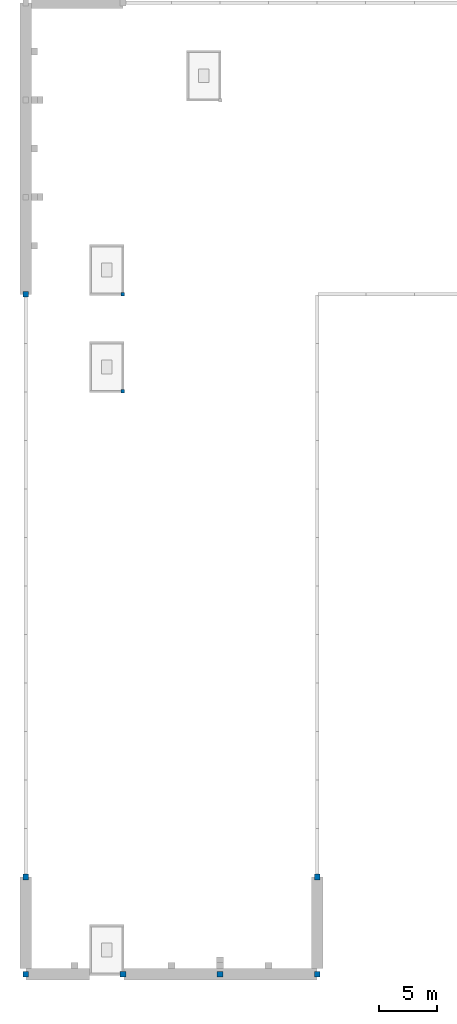
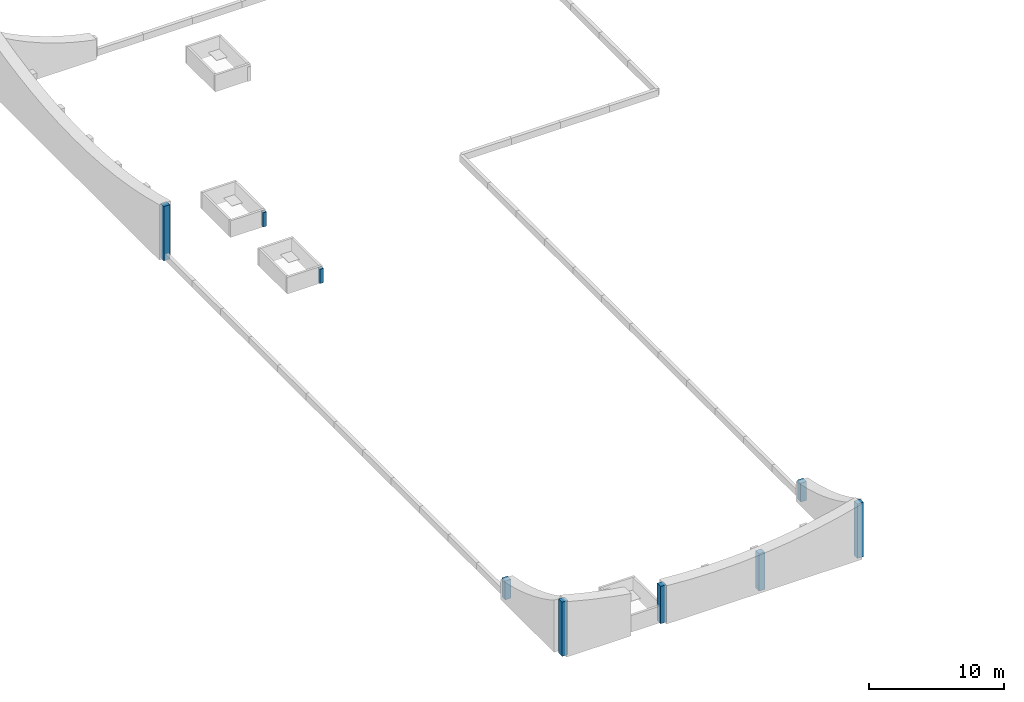
# One storey, part 1 of 4: 9 columns.
"""IFC4 building model written with IfcOpenShell, lengths in metres."""

from ifc_helpers import new_model, si_unit, direction, frame, origin, origin_2d, place, context, subcontext, project, spatial, rectangle, extrude, material, material_profile, profile_set, type_object, element, save


model = new_model("IFC4")

# Units and contexts
model_context = context("Model", 3, precision=1e-05, world=origin(), true_north=direction((0.0, 1.0)))
body_context = subcontext(model_context, "Body", "Model", "MODEL_VIEW")
ifc_project = project(units=[si_unit("LENGTHUNIT", "METRE"), si_unit("AREAUNIT", "SQUARE_METRE"), si_unit("VOLUMEUNIT", "CUBIC_METRE"), si_unit("PLANEANGLEUNIT", "RADIAN"), si_unit("MASSUNIT", "GRAM", prefix="KILO")], contexts=[model_context])

# Site, building, storey
site_placement = place(None, origin())
site = spatial("IfcSite", under=ifc_project, at=site_placement, CompositionType="ELEMENT")
building_placement = place(site_placement, origin())
building = spatial("IfcBuilding", under=site, at=building_placement, Name="Fescue Hill Polytechnic", CompositionType="ELEMENT")
storey_placement = place(building_placement, frame((0.0, 0.0, 36.0)))
storey = spatial("IfcBuildingStorey", under=building, at=storey_placement, Name="Roof", CompositionType="ELEMENT", Elevation=36.0)

# Columns
ifc_material = material(Name="Concrete 40 MPa", Category="concrete")
ifc_material_profile_1 = material_profile(ifc_material, rectangle(XDim=0.300048828125, YDim=0.300048828125, at=origin_2d()), Name="RC 300x300")
ifc_profile_set_1 = profile_set([ifc_material_profile_1], Name="Concrete 40 MPa")
column_type_1 = type_object("IfcColumnType", Name="Column RC 300x300", PredefinedType="COLUMN", material=ifc_profile_set_1)
for number, where, z_axis, x_axis, name in (
    (1, (8.39990234375, 100.800048828125, 0.0), (0.0, 0.0, 1.0), (1.0, 0.0, 0.0), "COL-Roof-V4-002"),
    (2, (8.39990234375, 109.199951171875, 0.0), (0.0, 0.0, 1.0), (1.0, 0.0, 0.0), "COL-Roof-V5-001"),
):
    element("IfcColumn", number, at=place(storey_placement, frame(where, z_axis=z_axis, x_axis=x_axis)), inside=storey, type_object=column_type_1, Name=name, PredefinedType="COLUMN", context=body_context, shape_type="SweptSolid", body=[
        extrude(rectangle(XDim=0.300048828125, YDim=0.300048828125, at=origin_2d()), origin(), (0.0, 0.0, 1.0), 1.300048828125),
    ])
ifc_material_profile_2 = material_profile(ifc_material, rectangle(XDim=0.5, YDim=0.5, at=origin_2d()), Name="RC 500x500")
ifc_profile_set_2 = profile_set([ifc_material_profile_2], Name="Concrete 40 MPa")
column_type_2 = type_object("IfcColumnType", Name="Column RC 500x500", PredefinedType="COLUMN", material=ifc_profile_set_2)
column_placement = place(storey_placement, frame((0.0, 50.39990234375, 0.0), z_axis=(0.0, 0.0, 1.0), x_axis=(1.0, 0.0, 0.0)))
element("IfcColumn", 3, at=column_placement, inside=storey, type_object=column_type_2, Name="CP-CR3-Roof-0000", PredefinedType="COLUMN", context=body_context, shape_type="SweptSolid", body=[
    extrude(rectangle(XDim=0.5, YDim=0.5, at=origin_2d()), origin(), (0.0, 0.0, 1.0), 4.89990234375),
])
for number, where, z_axis, x_axis, name in (
    (4, (8.39990234375, 50.39990234375, 0.0), (0.0, 0.0, 1.0), (1.0, 0.0, 0.0), "CP-CR3-Roof-0084"),
    (5, (16.800048828125, 50.39990234375, 0.0), (0.0, 0.0, 1.0), (1.0, 0.0, 0.0), "CP-CR3-Roof-0168"),
):
    element("IfcColumn", number, at=place(storey_placement, frame(where, z_axis=z_axis, x_axis=x_axis)), inside=storey, type_object=column_type_2, Name=name, PredefinedType="COLUMN", context=body_context, shape_type="SweptSolid", body=[
        extrude(rectangle(XDim=0.5, YDim=0.5, at=origin_2d()), origin(), (0.0, 0.0, 1.0), 3.36767578125),
    ])
for number, where, z_axis, x_axis, name in (
    (6, (25.199951171875, 50.39990234375, 0.0), (0.0, 0.0, 1.0), (1.0, 0.0, 0.0), "CP-CR3-Roof-0252"),
    (7, (0.0, 109.199951171875, 0.0), (0.0, 0.0, 1.0), (1.0, 0.0, 0.0), "CP-CR5-Roof-1092"),
):
    element("IfcColumn", number, at=place(storey_placement, frame(where, z_axis=z_axis, x_axis=x_axis)), inside=storey, type_object=column_type_2, Name=name, PredefinedType="COLUMN", context=body_context, shape_type="SweptSolid", body=[
        extrude(rectangle(XDim=0.5, YDim=0.5, at=origin_2d()), origin(), (0.0, 0.0, 1.0), 4.89990234375),
    ])
for number, where, z_axis, x_axis, name in (
    (8, (0.0, 58.800048828125, 0.0), (0.0, 0.0, 1.0), (1.0, 0.0, 0.0), "CP-CR8-Roof-0588"),
    (9, (25.199951171875, 58.800048828125, 0.0), (0.0, 0.0, 1.0), (1.0, 0.0, 0.0), "CP-CR9-Roof-0588"),
):
    element("IfcColumn", number, at=place(storey_placement, frame(where, z_axis=z_axis, x_axis=x_axis)), inside=storey, type_object=column_type_2, Name=name, PredefinedType="COLUMN", context=body_context, shape_type="SweptSolid", body=[
        extrude(rectangle(XDim=0.5, YDim=0.5, at=origin_2d()), origin(), (0.0, 0.0, 1.0), 1.699951171875),
    ])

save(model, "model.ifc")
